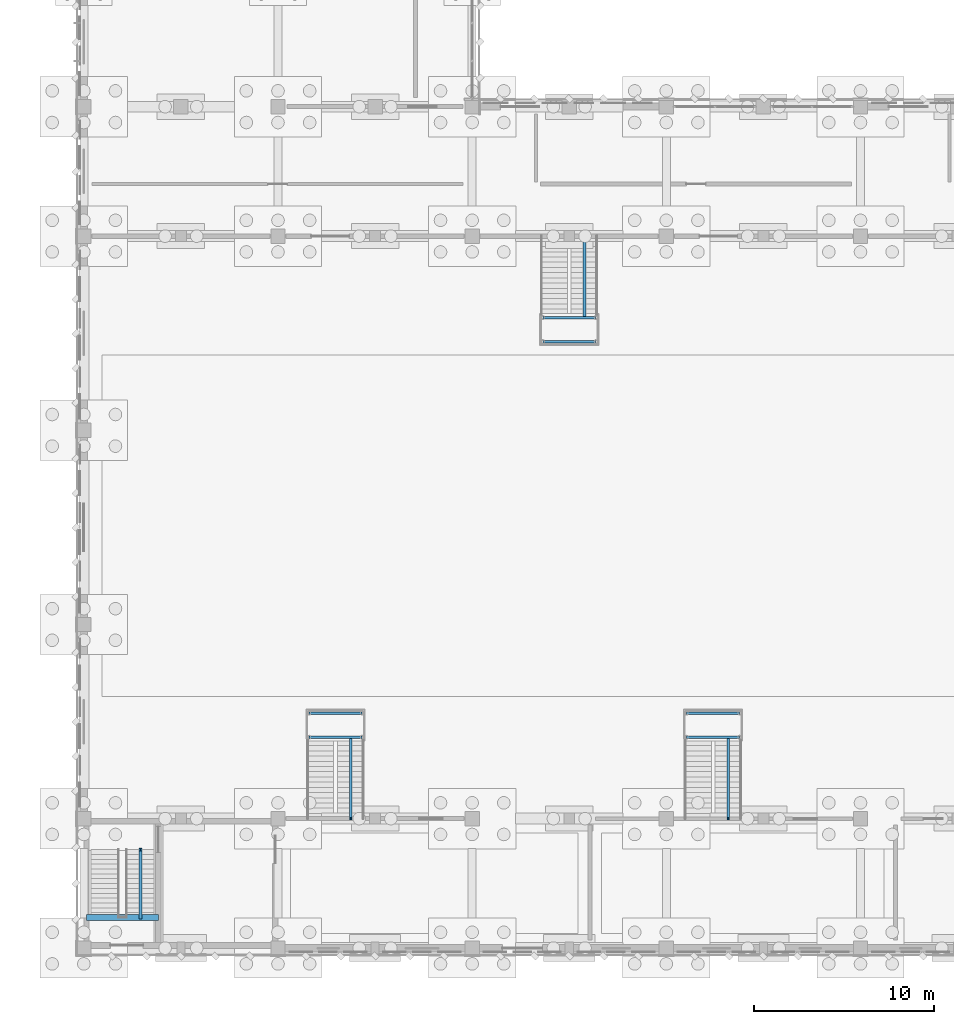
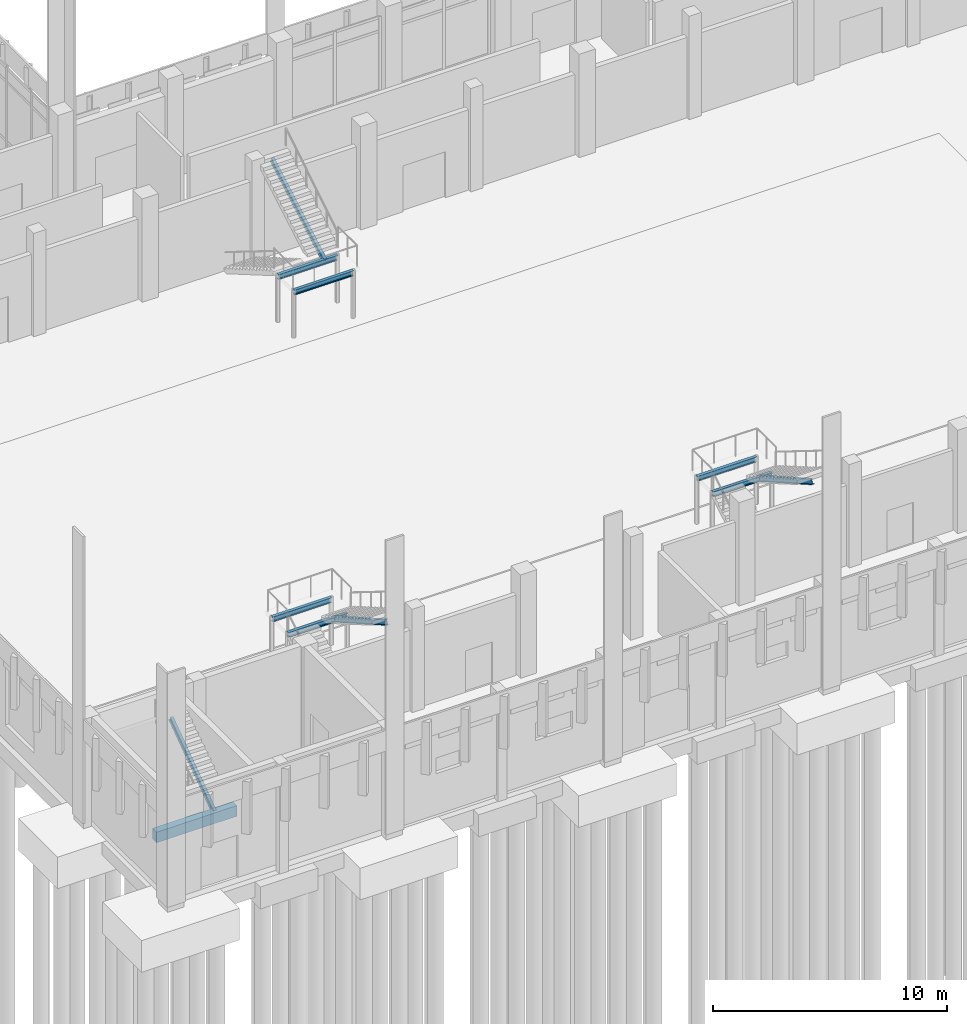
# One storey, part 26 of 109: 11 beams.
"""IFC4 building model written with IfcOpenShell, lengths in metres."""

from ifc_helpers import new_model, si_unit, direction, frame, origin, origin_2d, place, context, subcontext, project, spatial, rectangle, i_section, extrude, material, material_profile, profile_set, type_object, element, save


model = new_model("IFC4")

# Units and contexts
model_context = context("Model", 3, precision=1e-05, world=origin(), true_north=direction((0.0, 1.0)))
body_context = subcontext(model_context, "Body", "Model", "MODEL_VIEW")
ifc_project = project(units=[si_unit("LENGTHUNIT", "METRE"), si_unit("AREAUNIT", "SQUARE_METRE"), si_unit("VOLUMEUNIT", "CUBIC_METRE"), si_unit("PLANEANGLEUNIT", "RADIAN"), si_unit("MASSUNIT", "GRAM", prefix="KILO")], contexts=[model_context])

# Site, building, storey
site_placement = place(None, origin())
site = spatial("IfcSite", under=ifc_project, at=site_placement, CompositionType="ELEMENT")
building_placement = place(site_placement, origin())
building = spatial("IfcBuilding", under=site, at=building_placement, Name="Lusvemor Sports Hall", CompositionType="ELEMENT")
storey_placement = place(building_placement, origin())
storey = spatial("IfcBuildingStorey", under=building, at=storey_placement, Name="L00", CompositionType="ELEMENT", Elevation=0.0)

# Beams
ifc_material_1 = material(Name="Concrete C40/50", Category="concrete")
ifc_material_profile_1 = material_profile(ifc_material_1, rectangle(XDim=0.35009765625, YDim=0.550048828125, at=origin_2d()), Name="RC350x550")
ifc_profile_set_1 = profile_set([ifc_material_profile_1], Name="Concrete C40/50")
beam_type_1 = type_object("IfcBeamType", Name="BEAM_RC_550", PredefinedType="BEAM", material=ifc_profile_set_1)
beam_1_placement = place(storey_placement, frame((0.159912109375, 1.699951171875, 2.2451171875), z_axis=(1.0, 0.0, 0.0), x_axis=(0.0, 1.0, 0.0)))
element("IfcBeam", 1, at=beam_1_placement, inside=storey, type_object=beam_type_1, Name="Stair STR-C6-L00 Mid-Landing Beam", PredefinedType="BEAM", context=body_context, shape_type="SweptSolid", body=[
    extrude(rectangle(XDim=0.35009765625, YDim=0.550048828125, at=origin_2d()), origin(), (0.0, 0.0, 1.0), 3.97998046875),
])
ifc_material_2 = material(Name="Steel S355", Category="steel")
ifc_material_profile_2 = material_profile(ifc_material_2, i_section(OverallWidth=0.14794921875, OverallDepth=0.26611328125, WebThickness=0.007568359375, FlangeThickness=0.012939453125, FilletRadius=0.012939453125, at=origin_2d()), Name="W250x44.8")
ifc_profile_set_2 = profile_set([ifc_material_profile_2], Name="Steel S355")
beam_type_2 = type_object("IfcBeamType", Name="JOIST_ST_250M", PredefinedType="JOIST", material=ifc_profile_set_2)
beam_2_placement = place(storey_placement, frame((3.14990234375, 1.699951171875, 2.35498046875), z_axis=(0.0, 0.813740573448, 0.581228250453), x_axis=(-1.0, 0.0, 0.0)))
element("IfcBeam", 2, at=beam_2_placement, inside=storey, type_object=beam_type_2, Name="Stair STR-C6-L00 Flight 2 Stringer Beam", PredefinedType="JOIST", context=body_context, shape_type="SweptSolid", body=[
    extrude(i_section(OverallWidth=0.14794921875, OverallDepth=0.26611328125, WebThickness=0.007568359375, FlangeThickness=0.012939453125, FilletRadius=0.012939453125, at=origin_2d()), origin(), (0.0, 0.0, 1.0), 4.645263671875),
])
for number, where, z_axis, x_axis, name in (
    (3, (12.530029296875, 11.72998046875, 2.344970703125), (1.0, 0.0, 0.0), (0.0, 1.0, 0.0), "STR-V1-GAL-W Mid Landing Beam"),
    (4, (12.530029296875, 13.070068359375, 2.344970703125), (1.0, 0.0, 0.0), (0.0, 1.0, 0.0), "STR-V1-GAL-W Far Landing Beam"),
):
    element("IfcBeam", number, at=place(storey_placement, frame(where, z_axis=z_axis, x_axis=x_axis)), inside=storey, type_object=beam_type_2, Name=name, PredefinedType="JOIST", context=body_context, shape_type="SweptSolid", body=[
        extrude(i_section(OverallWidth=0.14794921875, OverallDepth=0.26611328125, WebThickness=0.007568359375, FlangeThickness=0.012939453125, FilletRadius=0.012939453125, at=origin_2d()), origin(), (0.0, 0.0, 1.0), 2.93994140625),
    ])
beam_3_placement = place(storey_placement, frame((14.85009765625, 11.72998046875, 2.344970703125), z_axis=(0.0, -0.869368269968, 0.494164761161), x_axis=(1.0, 0.0, 0.0)))
element("IfcBeam", 5, at=beam_3_placement, inside=storey, type_object=beam_type_2, Name="STR-V1-GAL-W Flight 2 Stringer", PredefinedType="JOIST", context=body_context, shape_type="SweptSolid", body=[
    extrude(i_section(OverallWidth=0.14794921875, OverallDepth=0.26611328125, WebThickness=0.007568359375, FlangeThickness=0.012939453125, FilletRadius=0.012939453125, at=origin_2d()), origin(), (0.0, 0.0, 1.0), 5.210693359375),
])
for number, where, z_axis, x_axis, name in (
    (6, (33.530029296875, 11.72998046875, 2.344970703125), (1.0, 0.0, 0.0), (0.0, 1.0, 0.0), "STR-V1-GAL-E Mid Landing Beam"),
    (7, (33.530029296875, 13.070068359375, 2.344970703125), (1.0, 0.0, 0.0), (0.0, 1.0, 0.0), "STR-V1-GAL-E Far Landing Beam"),
):
    element("IfcBeam", number, at=place(storey_placement, frame(where, z_axis=z_axis, x_axis=x_axis)), inside=storey, type_object=beam_type_2, Name=name, PredefinedType="JOIST", context=body_context, shape_type="SweptSolid", body=[
        extrude(i_section(OverallWidth=0.14794921875, OverallDepth=0.26611328125, WebThickness=0.007568359375, FlangeThickness=0.012939453125, FilletRadius=0.012939453125, at=origin_2d()), origin(), (0.0, 0.0, 1.0), 2.93994140625),
    ])
beam_4_placement = place(storey_placement, frame((35.85009765625, 11.72998046875, 2.344970703125), z_axis=(0.0, -0.869368269968, 0.494164761161), x_axis=(1.0, 0.0, 0.0)))
element("IfcBeam", 8, at=beam_4_placement, inside=storey, type_object=beam_type_2, Name="STR-V1-GAL-E Flight 2 Stringer", PredefinedType="JOIST", context=body_context, shape_type="SweptSolid", body=[
    extrude(i_section(OverallWidth=0.14794921875, OverallDepth=0.26611328125, WebThickness=0.007568359375, FlangeThickness=0.012939453125, FilletRadius=0.012939453125, at=origin_2d()), origin(), (0.0, 0.0, 1.0), 5.210693359375),
])
for number, where, z_axis, x_axis, name in (
    (9, (25.530029296875, 35.070068359375, 2.344970703125), (1.0, 0.0, 0.0), (0.0, 1.0, 0.0), "STR-V1N-GAL Mid Landing Beam"),
    (10, (25.530029296875, 33.72998046875, 2.344970703125), (1.0, 0.0, 0.0), (0.0, 1.0, 0.0), "STR-V1N-GAL Far Landing Beam"),
):
    element("IfcBeam", number, at=place(storey_placement, frame(where, z_axis=z_axis, x_axis=x_axis)), inside=storey, type_object=beam_type_2, Name=name, PredefinedType="JOIST", context=body_context, shape_type="SweptSolid", body=[
        extrude(i_section(OverallWidth=0.14794921875, OverallDepth=0.26611328125, WebThickness=0.007568359375, FlangeThickness=0.012939453125, FilletRadius=0.012939453125, at=origin_2d()), origin(), (0.0, 0.0, 1.0), 2.93994140625),
    ])
beam_5_placement = place(storey_placement, frame((27.85009765625, 35.070068359375, 2.344970703125), z_axis=(0.0, 0.869368269968, 0.494164761161), x_axis=(-1.0, 0.0, 0.0)))
element("IfcBeam", 11, at=beam_5_placement, inside=storey, type_object=beam_type_2, Name="STR-V1N-GAL Flight 2 Stringer", PredefinedType="JOIST", context=body_context, shape_type="SweptSolid", body=[
    extrude(i_section(OverallWidth=0.14794921875, OverallDepth=0.26611328125, WebThickness=0.007568359375, FlangeThickness=0.012939453125, FilletRadius=0.012939453125, at=origin_2d()), origin(), (0.0, 0.0, 1.0), 5.210693359375),
])

save(model, "model.ifc")
